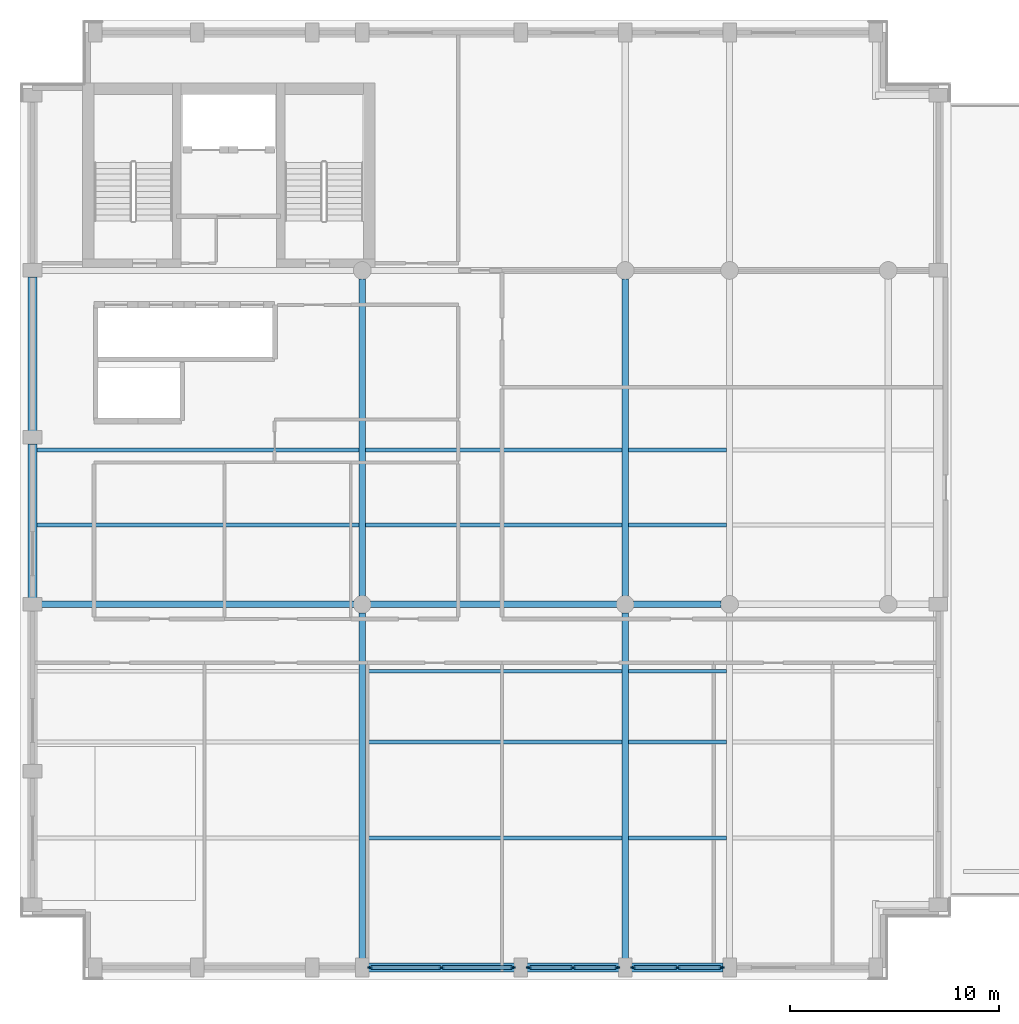
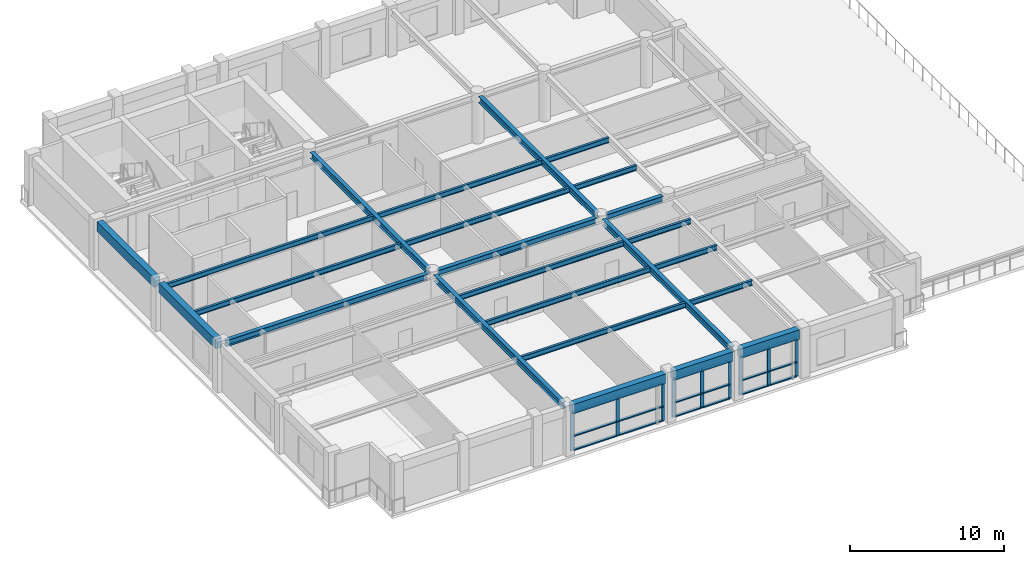
# One storey, part 2 of 9: 27 members, 24 beams, 3 elements without a shape of their own.
"""IFC4 building model written with IfcOpenShell, lengths in metres."""

from ifc_helpers import new_model, si_unit, direction, frame, origin, origin_2d, place, context, subcontext, project, spatial, rectangle, i_section, extrude, material, layer, layer_set, material_profile, profile_set, type_object, element, aggregate, save


model = new_model("IFC4")

# Units and contexts
model_context = context("Model", 3, precision=1e-05, world=origin(), true_north=direction((0.0, 1.0)))
body_context = subcontext(model_context, "Body", "Model", "MODEL_VIEW")
ifc_project = project(units=[si_unit("LENGTHUNIT", "METRE"), si_unit("AREAUNIT", "SQUARE_METRE"), si_unit("VOLUMEUNIT", "CUBIC_METRE"), si_unit("PLANEANGLEUNIT", "RADIAN"), si_unit("MASSUNIT", "GRAM", prefix="KILO")], contexts=[model_context])

# Site, building, storey
site_placement = place(None, origin())
site = spatial("IfcSite", under=ifc_project, at=site_placement, CompositionType="ELEMENT")
building_placement = place(site_placement, origin())
building = spatial("IfcBuilding", under=site, at=building_placement, Name="Sulina Concourse Tower", CompositionType="ELEMENT")
storey_placement = place(building_placement, frame((0.0, 0.0, 289.0)))
storey = spatial("IfcBuildingStorey", under=building, at=storey_placement, Name="L70", CompositionType="ELEMENT", Elevation=289.0)

# Beams
ifc_material_1 = material(Name="Steel S355", Category="steel")
ifc_material_profile_1 = material_profile(ifc_material_1, i_section(OverallWidth=0.300048828125, OverallDepth=0.5, WebThickness=0.014404296875, FlangeThickness=0.028076171875, at=origin_2d()), Name="HE 500 B")
ifc_profile_set_1 = profile_set([ifc_material_profile_1], Name="Steel S355")
beam_type_1 = type_object("IfcBeamType", Name="Crown & Canopy Primary Girder HE500B", PredefinedType="BEAM", material=ifc_profile_set_1)
beam_1_placement = place(storey_placement, frame((0.905029296875, 18.0, 3.52490234375), z_axis=(1.0, 0.0, 0.0), x_axis=(0.0, 1.0, 0.0)))
element("IfcBeam", 1, at=beam_1_placement, inside=storey, type_object=beam_type_1, Name="FG-EW1-L70", PredefinedType="BEAM", context=body_context, shape_type="SweptSolid", body=[
    extrude(i_section(OverallWidth=0.300048828125, OverallDepth=0.5, WebThickness=0.014404296875, FlangeThickness=0.028076171875, at=origin_2d()), origin(), (0.0, 0.0, 1.0), 15.090087890625),
])
beam_2_placement = place(storey_placement, frame((16.804931640625, 18.0, 3.52490234375), z_axis=(1.0, 0.0, 0.0), x_axis=(0.0, 1.0, 0.0)))
element("IfcBeam", 2, at=beam_2_placement, inside=storey, type_object=beam_type_1, Name="FG-EW2-L70", PredefinedType="BEAM", context=body_context, shape_type="SweptSolid", body=[
    extrude(i_section(OverallWidth=0.300048828125, OverallDepth=0.5, WebThickness=0.014404296875, FlangeThickness=0.028076171875, at=origin_2d()), origin(), (0.0, 0.0, 1.0), 11.7900390625),
])
beam_3_placement = place(storey_placement, frame((29.405029296875, 18.0, 3.52490234375), z_axis=(1.0, 0.0, 0.0), x_axis=(0.0, 1.0, 0.0)))
element("IfcBeam", 3, at=beam_3_placement, inside=storey, type_object=beam_type_1, Name="FG-EW3-L70", PredefinedType="BEAM", context=body_context, shape_type="SweptSolid", body=[
    extrude(i_section(OverallWidth=0.300048828125, OverallDepth=0.5, WebThickness=0.014404296875, FlangeThickness=0.028076171875, at=origin_2d()), origin(), (0.0, 0.0, 1.0), 4.18994140625),
])
beam_4_placement = place(storey_placement, frame((16.39990234375, 0.905029296875, 3.52490234375), z_axis=(0.0, 1.0, 0.0), x_axis=(-1.0, 0.0, 0.0)))
element("IfcBeam", 4, at=beam_4_placement, inside=storey, type_object=beam_type_1, Name="FG-NSA-16-L70", PredefinedType="BEAM", context=body_context, shape_type="SweptSolid", body=[
    extrude(i_section(OverallWidth=0.300048828125, OverallDepth=0.5, WebThickness=0.014404296875, FlangeThickness=0.028076171875, at=origin_2d()), origin(), (0.0, 0.0, 1.0), 16.68994140625),
])
beam_5_placement = place(storey_placement, frame((16.39990234375, 18.405029296875, 3.52490234375), z_axis=(0.0, 1.0, 0.0), x_axis=(-1.0, 0.0, 0.0)))
element("IfcBeam", 5, at=beam_5_placement, inside=storey, type_object=beam_type_1, Name="FG-NSB-16-L70", PredefinedType="BEAM", context=body_context, shape_type="SweptSolid", body=[
    extrude(i_section(OverallWidth=0.300048828125, OverallDepth=0.5, WebThickness=0.014404296875, FlangeThickness=0.028076171875, at=origin_2d()), origin(), (0.0, 0.0, 1.0), 15.18994140625),
])
beam_6_placement = place(storey_placement, frame((29.0, 0.905029296875, 3.52490234375), z_axis=(0.0, 1.0, 0.0), x_axis=(-1.0, 0.0, 0.0)))
element("IfcBeam", 6, at=beam_6_placement, inside=storey, type_object=beam_type_1, Name="FG-NSA-29-L70", PredefinedType="BEAM", context=body_context, shape_type="SweptSolid", body=[
    extrude(i_section(OverallWidth=0.300048828125, OverallDepth=0.5, WebThickness=0.014404296875, FlangeThickness=0.028076171875, at=origin_2d()), origin(), (0.0, 0.0, 1.0), 16.68994140625),
])
beam_7_placement = place(storey_placement, frame((29.0, 18.405029296875, 3.52490234375), z_axis=(0.0, 1.0, 0.0), x_axis=(-1.0, 0.0, 0.0)))
element("IfcBeam", 7, at=beam_7_placement, inside=storey, type_object=beam_type_1, Name="FG-NSB-29-L70", PredefinedType="BEAM", context=body_context, shape_type="SweptSolid", body=[
    extrude(i_section(OverallWidth=0.300048828125, OverallDepth=0.5, WebThickness=0.014404296875, FlangeThickness=0.028076171875, at=origin_2d()), origin(), (0.0, 0.0, 1.0), 15.18994140625),
])
ifc_material_2 = material(Name="Steel S355", Category="steel")
ifc_material_profile_2 = material_profile(ifc_material_2, i_section(OverallWidth=0.179931640625, OverallDepth=0.39990234375, WebThickness=0.008544921875, FlangeThickness=0.013427734375, at=origin_2d()), Name="IPE 400")
ifc_profile_set_2 = profile_set([ifc_material_profile_2], Name="Steel S355")
beam_type_2 = type_object("IfcBeamType", Name="Crown & Terrace Joist IPE400", PredefinedType="JOIST", material=ifc_profile_set_2)
beam_8_placement = place(storey_placement, frame((16.550048828125, 6.800048828125, 3.574951171875), z_axis=(1.0, 0.0, 0.0), x_axis=(0.0, 1.0, 0.0)))
element("IfcBeam", 8, at=beam_8_placement, inside=storey, type_object=beam_type_2, Name="FJ-J06-2-L70", PredefinedType="JOIST", context=body_context, shape_type="SweptSolid", body=[
    extrude(i_section(OverallWidth=0.179931640625, OverallDepth=0.39990234375, WebThickness=0.008544921875, FlangeThickness=0.013427734375, at=origin_2d()), origin(), (0.0, 0.0, 1.0), 12.300048828125),
])
beam_9_placement = place(storey_placement, frame((29.14990234375, 6.800048828125, 3.574951171875), z_axis=(1.0, 0.0, 0.0), x_axis=(0.0, 1.0, 0.0)))
element("IfcBeam", 9, at=beam_9_placement, inside=storey, type_object=beam_type_2, Name="FJ-J06-3-L70", PredefinedType="JOIST", context=body_context, shape_type="SweptSolid", body=[
    extrude(i_section(OverallWidth=0.179931640625, OverallDepth=0.39990234375, WebThickness=0.008544921875, FlangeThickness=0.013427734375, at=origin_2d()), origin(), (0.0, 0.0, 1.0), 4.7001953125),
])
beam_10_placement = place(storey_placement, frame((16.550048828125, 11.39990234375, 3.574951171875), z_axis=(1.0, 0.0, 0.0), x_axis=(0.0, 1.0, 0.0)))
element("IfcBeam", 10, at=beam_10_placement, inside=storey, type_object=beam_type_2, Name="FJ-J11-2-L70", PredefinedType="JOIST", context=body_context, shape_type="SweptSolid", body=[
    extrude(i_section(OverallWidth=0.179931640625, OverallDepth=0.39990234375, WebThickness=0.008544921875, FlangeThickness=0.013427734375, at=origin_2d()), origin(), (0.0, 0.0, 1.0), 12.300048828125),
])
beam_11_placement = place(storey_placement, frame((29.14990234375, 11.39990234375, 3.574951171875), z_axis=(1.0, 0.0, 0.0), x_axis=(0.0, 1.0, 0.0)))
element("IfcBeam", 11, at=beam_11_placement, inside=storey, type_object=beam_type_2, Name="FJ-J11-3-L70", PredefinedType="JOIST", context=body_context, shape_type="SweptSolid", body=[
    extrude(i_section(OverallWidth=0.179931640625, OverallDepth=0.39990234375, WebThickness=0.008544921875, FlangeThickness=0.013427734375, at=origin_2d()), origin(), (0.0, 0.0, 1.0), 4.7001953125),
])
beam_12_placement = place(storey_placement, frame((16.550048828125, 14.800048828125, 3.574951171875), z_axis=(1.0, 0.0, 0.0), x_axis=(0.0, 1.0, 0.0)))
element("IfcBeam", 12, at=beam_12_placement, inside=storey, type_object=beam_type_2, Name="FJ-J15-2-L70", PredefinedType="JOIST", context=body_context, shape_type="SweptSolid", body=[
    extrude(i_section(OverallWidth=0.179931640625, OverallDepth=0.39990234375, WebThickness=0.008544921875, FlangeThickness=0.013427734375, at=origin_2d()), origin(), (0.0, 0.0, 1.0), 12.300048828125),
])
beam_13_placement = place(storey_placement, frame((29.14990234375, 14.800048828125, 3.574951171875), z_axis=(1.0, 0.0, 0.0), x_axis=(0.0, 1.0, 0.0)))
element("IfcBeam", 13, at=beam_13_placement, inside=storey, type_object=beam_type_2, Name="FJ-J15-3-L70", PredefinedType="JOIST", context=body_context, shape_type="SweptSolid", body=[
    extrude(i_section(OverallWidth=0.179931640625, OverallDepth=0.39990234375, WebThickness=0.008544921875, FlangeThickness=0.013427734375, at=origin_2d()), origin(), (0.0, 0.0, 1.0), 4.7001953125),
])
beam_14_placement = place(storey_placement, frame((0.824951171875, 21.800048828125, 3.574951171875), z_axis=(1.0, 0.0, 0.0), x_axis=(0.0, 1.0, 0.0)))
element("IfcBeam", 14, at=beam_14_placement, inside=storey, type_object=beam_type_2, Name="FJ-J22-1-L70", PredefinedType="JOIST", context=body_context, shape_type="SweptSolid", body=[
    extrude(i_section(OverallWidth=0.179931640625, OverallDepth=0.39990234375, WebThickness=0.008544921875, FlangeThickness=0.013427734375, at=origin_2d()), origin(), (0.0, 0.0, 1.0), 15.425048828125),
])
beam_15_placement = place(storey_placement, frame((16.550048828125, 21.800048828125, 3.574951171875), z_axis=(1.0, 0.0, 0.0), x_axis=(0.0, 1.0, 0.0)))
element("IfcBeam", 15, at=beam_15_placement, inside=storey, type_object=beam_type_2, Name="FJ-J22-2-L70", PredefinedType="JOIST", context=body_context, shape_type="SweptSolid", body=[
    extrude(i_section(OverallWidth=0.179931640625, OverallDepth=0.39990234375, WebThickness=0.008544921875, FlangeThickness=0.013427734375, at=origin_2d()), origin(), (0.0, 0.0, 1.0), 12.300048828125),
])
beam_16_placement = place(storey_placement, frame((29.14990234375, 21.800048828125, 3.574951171875), z_axis=(1.0, 0.0, 0.0), x_axis=(0.0, 1.0, 0.0)))
element("IfcBeam", 16, at=beam_16_placement, inside=storey, type_object=beam_type_2, Name="FJ-J22-3-L70", PredefinedType="JOIST", context=body_context, shape_type="SweptSolid", body=[
    extrude(i_section(OverallWidth=0.179931640625, OverallDepth=0.39990234375, WebThickness=0.008544921875, FlangeThickness=0.013427734375, at=origin_2d()), origin(), (0.0, 0.0, 1.0), 4.7001953125),
])
beam_17_placement = place(storey_placement, frame((0.824951171875, 25.39990234375, 3.574951171875), z_axis=(1.0, 0.0, 0.0), x_axis=(0.0, 1.0, 0.0)))
element("IfcBeam", 17, at=beam_17_placement, inside=storey, type_object=beam_type_2, Name="FJ-J25-1-L70", PredefinedType="JOIST", context=body_context, shape_type="SweptSolid", body=[
    extrude(i_section(OverallWidth=0.179931640625, OverallDepth=0.39990234375, WebThickness=0.008544921875, FlangeThickness=0.013427734375, at=origin_2d()), origin(), (0.0, 0.0, 1.0), 15.425048828125),
])
beam_18_placement = place(storey_placement, frame((16.550048828125, 25.39990234375, 3.574951171875), z_axis=(1.0, 0.0, 0.0), x_axis=(0.0, 1.0, 0.0)))
element("IfcBeam", 18, at=beam_18_placement, inside=storey, type_object=beam_type_2, Name="FJ-J25-2-L70", PredefinedType="JOIST", context=body_context, shape_type="SweptSolid", body=[
    extrude(i_section(OverallWidth=0.179931640625, OverallDepth=0.39990234375, WebThickness=0.008544921875, FlangeThickness=0.013427734375, at=origin_2d()), origin(), (0.0, 0.0, 1.0), 12.300048828125),
])
beam_19_placement = place(storey_placement, frame((29.14990234375, 25.39990234375, 3.574951171875), z_axis=(1.0, 0.0, 0.0), x_axis=(0.0, 1.0, 0.0)))
element("IfcBeam", 19, at=beam_19_placement, inside=storey, type_object=beam_type_2, Name="FJ-J25-3-L70", PredefinedType="JOIST", context=body_context, shape_type="SweptSolid", body=[
    extrude(i_section(OverallWidth=0.179931640625, OverallDepth=0.39990234375, WebThickness=0.008544921875, FlangeThickness=0.013427734375, at=origin_2d()), origin(), (0.0, 0.0, 1.0), 4.7001953125),
])

# Curtain wall, members
ifc_material_3 = material(Name="Anodised bronze aluminium", Category="aluminium")
ifc_layer = layer(ifc_material_3, 0.27001953125)
ifc_layer_set = layer_set([ifc_layer], Name="Anodised bronze aluminium")
curtain_wall_type = type_object("IfcCurtainWallType", Name="Stepped Crown Observation Curtain Wall System", PredefinedType="NOTDEFINED", material=ifc_layer_set)
curtain_wall_1_placement = place(storey_placement, origin())
curtain_wall_1 = element("IfcCurtainWall", 20, at=curtain_wall_1_placement, inside=storey, type_object=curtain_wall_type, Name="L70 glazed curtain wall S4", PredefinedType="NOTDEFINED")
ifc_material_4 = material(Name="Anodised bronze aluminium", Category="aluminium")
ifc_material_profile_3 = material_profile(ifc_material_4, rectangle(XDim=0.0849609375, YDim=0.25, at=origin_2d()), Name="MUL 85x250")
ifc_profile_set_3 = profile_set([ifc_material_profile_3], Name="Anodised bronze aluminium")
member_type_1 = type_object("IfcMemberType", Name="Stepped Crown Observation Curtain Wall System Mullion 85x250", PredefinedType="MULLION", material=ifc_profile_set_3)
member_1_placement = place(storey_placement, frame((23.612548828125, 0.60009765625, 0.0), z_axis=(0.0, 0.0, 1.0), x_axis=(0.0, -1.0, 0.0)))
member_1 = element("IfcMember", 21, at=member_1_placement, type_object=member_type_1, Name="CW-06 mullion 1", PredefinedType="MULLION", context=body_context, shape_type="SweptSolid", body=[
    extrude(rectangle(XDim=0.0849609375, YDim=0.25, at=origin_2d()), origin(), (0.0, 0.0, 1.0), 3.02490234375),
])
member_2_placement = place(storey_placement, frame((20.199951171875, 0.60009765625, 0.0), z_axis=(0.0, 0.0, 1.0), x_axis=(0.0, -1.0, 0.0)))
member_2 = element("IfcMember", 22, at=member_2_placement, type_object=member_type_1, Name="CW-06 mullion 2", PredefinedType="MULLION", context=body_context, shape_type="SweptSolid", body=[
    extrude(rectangle(XDim=0.0849609375, YDim=0.25, at=origin_2d()), origin(), (0.0, 0.0, 1.0), 3.02490234375),
])
member_3_placement = place(storey_placement, frame((16.78759765625, 0.60009765625, 0.0), z_axis=(0.0, 0.0, 1.0), x_axis=(0.0, -1.0, 0.0)))
member_3 = element("IfcMember", 23, at=member_3_placement, type_object=member_type_1, Name="CW-06 mullion 3", PredefinedType="MULLION", context=body_context, shape_type="SweptSolid", body=[
    extrude(rectangle(XDim=0.0849609375, YDim=0.25, at=origin_2d()), origin(), (0.0, 0.0, 1.0), 3.02490234375),
])

curtain_wall_2_placement = place(storey_placement, origin())
curtain_wall_2 = element("IfcCurtainWall", 24, at=curtain_wall_2_placement, inside=storey, type_object=curtain_wall_type, Name="L70 glazed curtain wall S5", PredefinedType="NOTDEFINED")
member_4_placement = place(storey_placement, frame((28.612548828125, 0.60009765625, 0.0), z_axis=(0.0, 0.0, 1.0), x_axis=(0.0, -1.0, 0.0)))
member_4 = element("IfcMember", 25, at=member_4_placement, type_object=member_type_1, Name="CW-06 mullion 1", PredefinedType="MULLION", context=body_context, shape_type="SweptSolid", body=[
    extrude(rectangle(XDim=0.0849609375, YDim=0.25, at=origin_2d()), origin(), (0.0, 0.0, 1.0), 3.02490234375),
])
member_5_placement = place(storey_placement, frame((26.5, 0.60009765625, 0.0), z_axis=(0.0, 0.0, 1.0), x_axis=(0.0, -1.0, 0.0)))
member_5 = element("IfcMember", 26, at=member_5_placement, type_object=member_type_1, Name="CW-06 mullion 2", PredefinedType="MULLION", context=body_context, shape_type="SweptSolid", body=[
    extrude(rectangle(XDim=0.0849609375, YDim=0.25, at=origin_2d()), origin(), (0.0, 0.0, 1.0), 3.02490234375),
])
member_6_placement = place(storey_placement, frame((24.387451171875, 0.60009765625, 0.0), z_axis=(0.0, 0.0, 1.0), x_axis=(0.0, -1.0, 0.0)))
member_6 = element("IfcMember", 27, at=member_6_placement, type_object=member_type_1, Name="CW-06 mullion 3", PredefinedType="MULLION", context=body_context, shape_type="SweptSolid", body=[
    extrude(rectangle(XDim=0.0849609375, YDim=0.25, at=origin_2d()), origin(), (0.0, 0.0, 1.0), 3.02490234375),
])

curtain_wall_3_placement = place(storey_placement, origin())
curtain_wall_3 = element("IfcCurtainWall", 28, at=curtain_wall_3_placement, inside=storey, type_object=curtain_wall_type, Name="L70 glazed curtain wall S6", PredefinedType="NOTDEFINED")
member_7_placement = place(storey_placement, frame((33.612548828125, 0.60009765625, 0.0), z_axis=(0.0, 0.0, 1.0), x_axis=(0.0, -1.0, 0.0)))
member_7 = element("IfcMember", 29, at=member_7_placement, type_object=member_type_1, Name="CW-06 mullion 1", PredefinedType="MULLION", context=body_context, shape_type="SweptSolid", body=[
    extrude(rectangle(XDim=0.0849609375, YDim=0.25, at=origin_2d()), origin(), (0.0, 0.0, 1.0), 3.02490234375),
])
member_8_placement = place(storey_placement, frame((31.5, 0.60009765625, 0.0), z_axis=(0.0, 0.0, 1.0), x_axis=(0.0, -1.0, 0.0)))
member_8 = element("IfcMember", 30, at=member_8_placement, type_object=member_type_1, Name="CW-06 mullion 2", PredefinedType="MULLION", context=body_context, shape_type="SweptSolid", body=[
    extrude(rectangle(XDim=0.0849609375, YDim=0.25, at=origin_2d()), origin(), (0.0, 0.0, 1.0), 3.02490234375),
])
member_9_placement = place(storey_placement, frame((29.387451171875, 0.60009765625, 0.0), z_axis=(0.0, 0.0, 1.0), x_axis=(0.0, -1.0, 0.0)))
member_9 = element("IfcMember", 31, at=member_9_placement, type_object=member_type_1, Name="CW-06 mullion 3", PredefinedType="MULLION", context=body_context, shape_type="SweptSolid", body=[
    extrude(rectangle(XDim=0.0849609375, YDim=0.25, at=origin_2d()), origin(), (0.0, 0.0, 1.0), 3.02490234375),
])

# Member
ifc_material_5 = material(Name="Anodised bronze aluminium", Category="aluminium")
ifc_material_profile_4 = material_profile(ifc_material_5, rectangle(XDim=0.205078125, YDim=0.0849609375, at=origin_2d()), Name="TRN 85x205")
ifc_profile_set_4 = profile_set([ifc_material_profile_4], Name="Anodised bronze aluminium")
member_type_2 = type_object("IfcMemberType", Name="Stepped Crown Observation Curtain Wall System Transom 85x205", PredefinedType="USERDEFINED", material=ifc_profile_set_4)
member_10_placement = place(storey_placement, frame((23.570068359375, 0.60009765625, 0.04248046875), z_axis=(-1.0, 0.0, 0.0), x_axis=(0.0, -1.0, 0.0)))
member_10 = element("IfcMember", 32, at=member_10_placement, type_object=member_type_2, Name="CW-06 transom 1.1", ObjectType="TRANSOM", PredefinedType="USERDEFINED", context=body_context, shape_type="SweptSolid", body=[
    extrude(rectangle(XDim=0.205078125, YDim=0.0849609375, at=origin_2d()), origin(), (0.0, 0.0, 1.0), 3.32763671875),
])

member_11_placement = place(storey_placement, frame((23.570068359375, 0.60009765625, 1.1494140625), z_axis=(-1.0, 0.0, 0.0), x_axis=(0.0, -1.0, 0.0)))
member_11 = element("IfcMember", 33, at=member_11_placement, type_object=member_type_2, Name="CW-06 transom 1.2", ObjectType="TRANSOM", PredefinedType="USERDEFINED", context=body_context, shape_type="SweptSolid", body=[
    extrude(rectangle(XDim=0.205078125, YDim=0.0849609375, at=origin_2d()), origin(), (0.0, 0.0, 1.0), 3.32763671875),
])

member_12_placement = place(storey_placement, frame((23.570068359375, 0.60009765625, 2.982421875), z_axis=(-1.0, 0.0, 0.0), x_axis=(0.0, -1.0, 0.0)))
member_12 = element("IfcMember", 34, at=member_12_placement, type_object=member_type_2, Name="CW-06 transom 1.3", ObjectType="TRANSOM", PredefinedType="USERDEFINED", context=body_context, shape_type="SweptSolid", body=[
    extrude(rectangle(XDim=0.205078125, YDim=0.0849609375, at=origin_2d()), origin(), (0.0, 0.0, 1.0), 3.32763671875),
])

member_13_placement = place(storey_placement, frame((20.157470703125, 0.60009765625, 0.04248046875), z_axis=(-1.0, 0.0, 0.0), x_axis=(0.0, -1.0, 0.0)))
member_13 = element("IfcMember", 35, at=member_13_placement, type_object=member_type_2, Name="CW-06 transom 2.1", ObjectType="TRANSOM", PredefinedType="USERDEFINED", context=body_context, shape_type="SweptSolid", body=[
    extrude(rectangle(XDim=0.205078125, YDim=0.0849609375, at=origin_2d()), origin(), (0.0, 0.0, 1.0), 3.327392578125),
])

member_14_placement = place(storey_placement, frame((20.157470703125, 0.60009765625, 1.1494140625), z_axis=(-1.0, 0.0, 0.0), x_axis=(0.0, -1.0, 0.0)))
member_14 = element("IfcMember", 36, at=member_14_placement, type_object=member_type_2, Name="CW-06 transom 2.2", ObjectType="TRANSOM", PredefinedType="USERDEFINED", context=body_context, shape_type="SweptSolid", body=[
    extrude(rectangle(XDim=0.205078125, YDim=0.0849609375, at=origin_2d()), origin(), (0.0, 0.0, 1.0), 3.327392578125),
])

member_15_placement = place(storey_placement, frame((20.157470703125, 0.60009765625, 2.982421875), z_axis=(-1.0, 0.0, 0.0), x_axis=(0.0, -1.0, 0.0)))
member_15 = element("IfcMember", 37, at=member_15_placement, type_object=member_type_2, Name="CW-06 transom 2.3", ObjectType="TRANSOM", PredefinedType="USERDEFINED", context=body_context, shape_type="SweptSolid", body=[
    extrude(rectangle(XDim=0.205078125, YDim=0.0849609375, at=origin_2d()), origin(), (0.0, 0.0, 1.0), 3.327392578125),
])

aggregate(curtain_wall_1, [member_1, member_2, member_3, member_10, member_11, member_12, member_13, member_14, member_15])

member_16_placement = place(storey_placement, frame((28.570068359375, 0.60009765625, 0.04248046875), z_axis=(-1.0, 0.0, 0.0), x_axis=(0.0, -1.0, 0.0)))
member_16 = element("IfcMember", 38, at=member_16_placement, type_object=member_type_2, Name="CW-06 transom 1.1", ObjectType="TRANSOM", PredefinedType="USERDEFINED", context=body_context, shape_type="SweptSolid", body=[
    extrude(rectangle(XDim=0.205078125, YDim=0.0849609375, at=origin_2d()), origin(), (0.0, 0.0, 1.0), 2.027587890625),
])

member_17_placement = place(storey_placement, frame((28.570068359375, 0.60009765625, 1.1494140625), z_axis=(-1.0, 0.0, 0.0), x_axis=(0.0, -1.0, 0.0)))
member_17 = element("IfcMember", 39, at=member_17_placement, type_object=member_type_2, Name="CW-06 transom 1.2", ObjectType="TRANSOM", PredefinedType="USERDEFINED", context=body_context, shape_type="SweptSolid", body=[
    extrude(rectangle(XDim=0.205078125, YDim=0.0849609375, at=origin_2d()), origin(), (0.0, 0.0, 1.0), 2.027587890625),
])

member_18_placement = place(storey_placement, frame((28.570068359375, 0.60009765625, 2.982421875), z_axis=(-1.0, 0.0, 0.0), x_axis=(0.0, -1.0, 0.0)))
member_18 = element("IfcMember", 40, at=member_18_placement, type_object=member_type_2, Name="CW-06 transom 1.3", ObjectType="TRANSOM", PredefinedType="USERDEFINED", context=body_context, shape_type="SweptSolid", body=[
    extrude(rectangle(XDim=0.205078125, YDim=0.0849609375, at=origin_2d()), origin(), (0.0, 0.0, 1.0), 2.027587890625),
])

member_19_placement = place(storey_placement, frame((26.45751953125, 0.60009765625, 0.04248046875), z_axis=(-1.0, 0.0, 0.0), x_axis=(0.0, -1.0, 0.0)))
member_19 = element("IfcMember", 41, at=member_19_placement, type_object=member_type_2, Name="CW-06 transom 2.1", ObjectType="TRANSOM", PredefinedType="USERDEFINED", context=body_context, shape_type="SweptSolid", body=[
    extrude(rectangle(XDim=0.205078125, YDim=0.0849609375, at=origin_2d()), origin(), (0.0, 0.0, 1.0), 2.027587890625),
])

member_20_placement = place(storey_placement, frame((26.45751953125, 0.60009765625, 1.1494140625), z_axis=(-1.0, 0.0, 0.0), x_axis=(0.0, -1.0, 0.0)))
member_20 = element("IfcMember", 42, at=member_20_placement, type_object=member_type_2, Name="CW-06 transom 2.2", ObjectType="TRANSOM", PredefinedType="USERDEFINED", context=body_context, shape_type="SweptSolid", body=[
    extrude(rectangle(XDim=0.205078125, YDim=0.0849609375, at=origin_2d()), origin(), (0.0, 0.0, 1.0), 2.027587890625),
])

member_21_placement = place(storey_placement, frame((26.45751953125, 0.60009765625, 2.982421875), z_axis=(-1.0, 0.0, 0.0), x_axis=(0.0, -1.0, 0.0)))
member_21 = element("IfcMember", 43, at=member_21_placement, type_object=member_type_2, Name="CW-06 transom 2.3", ObjectType="TRANSOM", PredefinedType="USERDEFINED", context=body_context, shape_type="SweptSolid", body=[
    extrude(rectangle(XDim=0.205078125, YDim=0.0849609375, at=origin_2d()), origin(), (0.0, 0.0, 1.0), 2.027587890625),
])

aggregate(curtain_wall_2, [member_4, member_5, member_6, member_16, member_17, member_18, member_19, member_20, member_21])

member_22_placement = place(storey_placement, frame((33.570068359375, 0.60009765625, 0.04248046875), z_axis=(-1.0, 0.0, 0.0), x_axis=(0.0, -1.0, 0.0)))
member_22 = element("IfcMember", 44, at=member_22_placement, type_object=member_type_2, Name="CW-06 transom 1.1", ObjectType="TRANSOM", PredefinedType="USERDEFINED", context=body_context, shape_type="SweptSolid", body=[
    extrude(rectangle(XDim=0.205078125, YDim=0.0849609375, at=origin_2d()), origin(), (0.0, 0.0, 1.0), 2.027587890625),
])

member_23_placement = place(storey_placement, frame((33.570068359375, 0.60009765625, 1.1494140625), z_axis=(-1.0, 0.0, 0.0), x_axis=(0.0, -1.0, 0.0)))
member_23 = element("IfcMember", 45, at=member_23_placement, type_object=member_type_2, Name="CW-06 transom 1.2", ObjectType="TRANSOM", PredefinedType="USERDEFINED", context=body_context, shape_type="SweptSolid", body=[
    extrude(rectangle(XDim=0.205078125, YDim=0.0849609375, at=origin_2d()), origin(), (0.0, 0.0, 1.0), 2.027587890625),
])

member_24_placement = place(storey_placement, frame((33.570068359375, 0.60009765625, 2.982421875), z_axis=(-1.0, 0.0, 0.0), x_axis=(0.0, -1.0, 0.0)))
member_24 = element("IfcMember", 46, at=member_24_placement, type_object=member_type_2, Name="CW-06 transom 1.3", ObjectType="TRANSOM", PredefinedType="USERDEFINED", context=body_context, shape_type="SweptSolid", body=[
    extrude(rectangle(XDim=0.205078125, YDim=0.0849609375, at=origin_2d()), origin(), (0.0, 0.0, 1.0), 2.027587890625),
])

member_25_placement = place(storey_placement, frame((31.45751953125, 0.60009765625, 0.04248046875), z_axis=(-1.0, 0.0, 0.0), x_axis=(0.0, -1.0, 0.0)))
member_25 = element("IfcMember", 47, at=member_25_placement, type_object=member_type_2, Name="CW-06 transom 2.1", ObjectType="TRANSOM", PredefinedType="USERDEFINED", context=body_context, shape_type="SweptSolid", body=[
    extrude(rectangle(XDim=0.205078125, YDim=0.0849609375, at=origin_2d()), origin(), (0.0, 0.0, 1.0), 2.027587890625),
])

member_26_placement = place(storey_placement, frame((31.45751953125, 0.60009765625, 1.1494140625), z_axis=(-1.0, 0.0, 0.0), x_axis=(0.0, -1.0, 0.0)))
member_26 = element("IfcMember", 48, at=member_26_placement, type_object=member_type_2, Name="CW-06 transom 2.2", ObjectType="TRANSOM", PredefinedType="USERDEFINED", context=body_context, shape_type="SweptSolid", body=[
    extrude(rectangle(XDim=0.205078125, YDim=0.0849609375, at=origin_2d()), origin(), (0.0, 0.0, 1.0), 2.027587890625),
])

member_27_placement = place(storey_placement, frame((31.45751953125, 0.60009765625, 2.982421875), z_axis=(-1.0, 0.0, 0.0), x_axis=(0.0, -1.0, 0.0)))
member_27 = element("IfcMember", 49, at=member_27_placement, type_object=member_type_2, Name="CW-06 transom 2.3", ObjectType="TRANSOM", PredefinedType="USERDEFINED", context=body_context, shape_type="SweptSolid", body=[
    extrude(rectangle(XDim=0.205078125, YDim=0.0849609375, at=origin_2d()), origin(), (0.0, 0.0, 1.0), 2.027587890625),
])

aggregate(curtain_wall_3, [member_7, member_8, member_9, member_22, member_23, member_24, member_25, member_26, member_27])

# Beams
ifc_material_6 = material(Name="Precast concrete C50/60", Category="concrete")
ifc_material_profile_5 = material_profile(ifc_material_6, rectangle(XDim=0.449951171875, YDim=0.75, at=origin_2d()), Name="RC 450x750")
ifc_profile_set_5 = profile_set([ifc_material_profile_5], Name="Precast concrete C50/60")
beam_type_3 = type_object("IfcBeamType", Name="Upper Precast Spandrel Edge Beam 450x750", PredefinedType="BEAM", material=ifc_profile_set_5)
beam_20_placement = place(storey_placement, frame((16.705078125, 0.60009765625, 3.39990234375), z_axis=(1.0, 0.0, 0.0), x_axis=(0.0, 1.0, 0.0)))
element("IfcBeam", 50, at=beam_20_placement, inside=storey, type_object=beam_type_3, Name="SP-S4-L70", PredefinedType="BEAM", context=body_context, shape_type="SweptSolid", body=[
    extrude(rectangle(XDim=0.449951171875, YDim=0.75, at=origin_2d()), origin(), (0.0, 0.0, 1.0), 6.989990234375),
])
for number, where, z_axis, x_axis, name in (
    (51, (24.304931640625, 0.60009765625, 3.39990234375), (1.0, 0.0, 0.0), (0.0, 1.0, 0.0), "SP-S5-L70"),
    (52, (29.304931640625, 0.60009765625, 3.39990234375), (1.0, 0.0, 0.0), (0.0, 1.0, 0.0), "SP-S6-L70"),
):
    element("IfcBeam", number, at=place(storey_placement, frame(where, z_axis=z_axis, x_axis=x_axis)), inside=storey, type_object=beam_type_3, Name=name, PredefinedType="BEAM", context=body_context, shape_type="SweptSolid", body=[
        extrude(rectangle(XDim=0.449951171875, YDim=0.75, at=origin_2d()), origin(), (0.0, 0.0, 1.0), 4.39013671875),
    ])
for number, where, z_axis, x_axis, name in (
    (53, (0.60009765625, 18.304931640625, 3.39990234375), (0.0, 1.0, 0.0), (-1.0, 0.0, 0.0), "SP-W3-L70"),
    (54, (0.60009765625, 26.304931640625, 3.39990234375), (0.0, 1.0, 0.0), (-1.0, 0.0, 0.0), "SP-W4-L70"),
):
    element("IfcBeam", number, at=place(storey_placement, frame(where, z_axis=z_axis, x_axis=x_axis)), inside=storey, type_object=beam_type_3, Name=name, PredefinedType="BEAM", context=body_context, shape_type="SweptSolid", body=[
        extrude(rectangle(XDim=0.449951171875, YDim=0.75, at=origin_2d()), origin(), (0.0, 0.0, 1.0), 7.39013671875),
    ])

save(model, "model.ifc")
